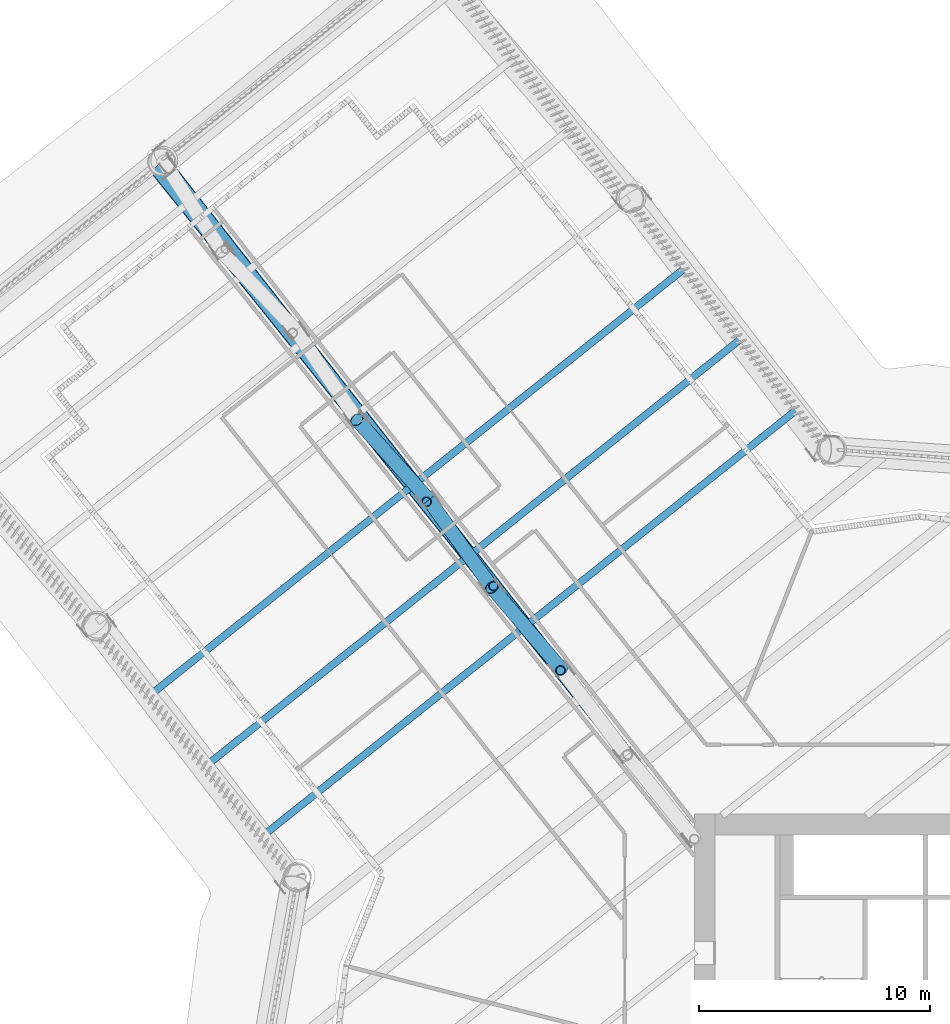
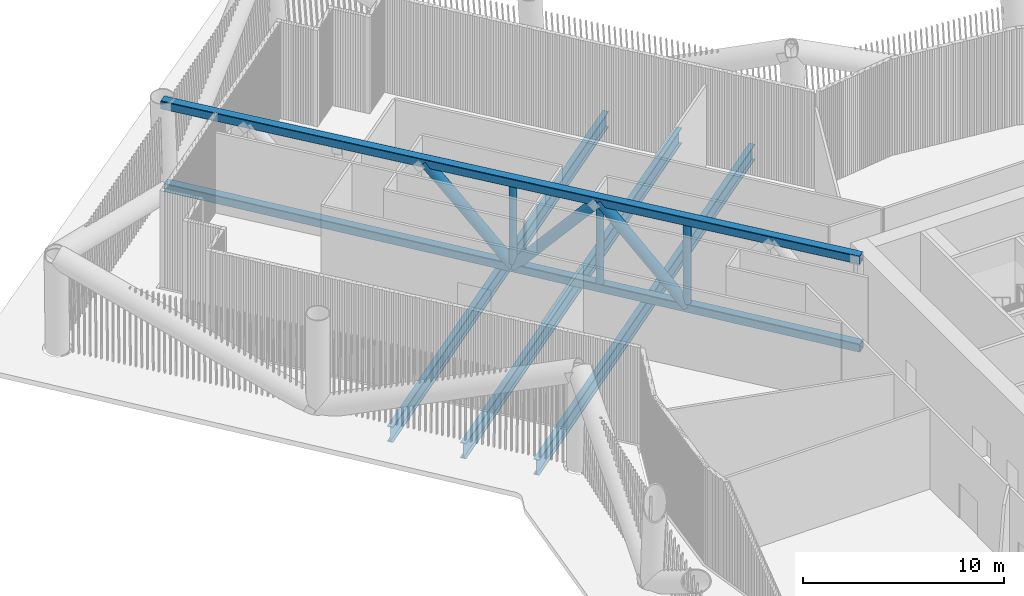
# One storey, part 10 of 48: 8 members, 3 beams.
"""IFC4 building model written with IfcOpenShell, lengths in metres."""

from ifc_helpers import new_model, si_unit, direction, frame, origin, origin_2d, place, context, subcontext, project, spatial, hollow_rectangle, hollow_circle, i_section, extrude, material, material_profile, profile_set, type_object, element, save


model = new_model("IFC4")

# Units and contexts
model_context = context("Model", 3, precision=1e-05, world=origin(), true_north=direction((0.0, 1.0)))
body_context = subcontext(model_context, "Body", "Model", "MODEL_VIEW")
ifc_project = project(units=[si_unit("LENGTHUNIT", "METRE"), si_unit("AREAUNIT", "SQUARE_METRE"), si_unit("VOLUMEUNIT", "CUBIC_METRE"), si_unit("PLANEANGLEUNIT", "RADIAN"), si_unit("MASSUNIT", "GRAM", prefix="KILO")], contexts=[model_context])

# Site, building, storey
site_placement = place(None, origin())
site = spatial("IfcSite", under=ifc_project, at=site_placement, CompositionType="ELEMENT")
building_placement = place(site_placement, origin())
building = spatial("IfcBuilding", under=site, at=building_placement, Name="Tarsis Ring Headquarters", CompositionType="ELEMENT")
storey_placement = place(building_placement, frame((0.0, 0.0, 34.0)))
storey = spatial("IfcBuildingStorey", under=building, at=storey_placement, Name="L06", CompositionType="ELEMENT", Elevation=34.0)

# Beams
ifc_material = material(Name="Structural steel S355", Category="steel")
ifc_material_profile_1 = material_profile(ifc_material, i_section(OverallWidth=0.309814453125, OverallDepth=0.949951171875, WebThickness=0.0244140625, FlangeThickness=0.0439453125, at=origin_2d()), Name="W36x256")
ifc_profile_set_1 = profile_set([ifc_material_profile_1], Name="Structural steel S355")
beam_type = type_object("IfcBeamType", Name="FB Floor beam W36x256", PredefinedType="JOIST", material=ifc_profile_set_1)
for number, where, z_axis, x_axis, name in (
    (1, (-5.552978515625, 30.4990234375, -0.77490234375), (-0.781521097597, -0.623878813562, 0.0), (0.623878813562, -0.781521097597, 0.0), "Floor beam FB11"),
    (2, (-7.986083984375, 33.546875, -0.77490234375), (-0.781521097597, -0.623878813562, 0.0), (0.623878813562, -0.781521097597, 0.0), "Floor beam FB11"),
):
    element("IfcBeam", number, at=place(storey_placement, frame(where, z_axis=z_axis, x_axis=x_axis)), inside=storey, type_object=beam_type, Name=name, PredefinedType="JOIST", context=body_context, shape_type="SweptSolid", body=[
        extrude(i_section(OverallWidth=0.309814453125, OverallDepth=0.949951171875, WebThickness=0.0244140625, FlangeThickness=0.0439453125, at=origin_2d()), origin(), (0.0, 0.0, 1.0), 29.375732421875),
    ])
beam_placement = place(storey_placement, frame((-10.419189453125, 36.594970703125, -0.77490234375), z_axis=(-0.78151704539, -0.623883889651, 0.0), x_axis=(0.623883889651, -0.78151704539, 0.0)))
element("IfcBeam", 3, at=beam_placement, inside=storey, type_object=beam_type, Name="Floor beam FB11", PredefinedType="JOIST", context=body_context, shape_type="SweptSolid", body=[
    extrude(i_section(OverallWidth=0.309814453125, OverallDepth=0.949951171875, WebThickness=0.0244140625, FlangeThickness=0.0439453125, at=origin_2d()), origin(), (0.0, 0.0, 1.0), 29.3759765625),
])

# Members
ifc_material_profile_2 = material_profile(ifc_material, hollow_rectangle(XDim=0.508056640625, YDim=0.508056640625, WallThickness=0.025390625, InnerFilletRadius=0.025390625, OuterFilletRadius=0.05078125, at=origin_2d()), Name="HSS 508x508x25")
ifc_profile_set_2 = profile_set([ifc_material_profile_2], Name="Structural steel S355")
member_type_1 = type_object("IfcMemberType", Name="OC Outrigger chord HSS 508x508x25", PredefinedType="CHORD", material=ifc_profile_set_2)
member_1_placement = place(storey_placement, frame((-10.0, 11.915283203125, 0.25390625), z_axis=(-0.616337596693, 0.787482042274, 0.0), x_axis=(-0.787482042274, -0.616337596693, 0.0)))
element("IfcMember", 4, at=member_1_placement, inside=storey, type_object=member_type_1, Name="Outrigger chord OC1", PredefinedType="CHORD", context=body_context, shape_type="SweptSolid", body=[
    extrude(hollow_rectangle(XDim=0.508056640625, YDim=0.508056640625, WallThickness=0.025390625, InnerFilletRadius=0.025390625, OuterFilletRadius=0.05078125, at=origin_2d()), origin(), (0.0, 0.0, 1.0), 37.250732421875),
])
member_2_placement = place(storey_placement, frame((-10.0, 11.915283203125, 5.5859375), z_axis=(-0.626674632002, 0.779281018378, 0.0), x_axis=(-0.779281018378, -0.626674632002, 0.0)))
element("IfcMember", 5, at=member_2_placement, inside=storey, type_object=member_type_1, Name="Outrigger chord OC1", PredefinedType="CHORD", context=body_context, shape_type="SweptSolid", body=[
    extrude(hollow_rectangle(XDim=0.508056640625, YDim=0.508056640625, WallThickness=0.025390625, InnerFilletRadius=0.025390625, OuterFilletRadius=0.05078125, at=origin_2d()), origin(), (0.0, 0.0, 1.0), 37.24658203125),
])
ifc_material_profile_3 = material_profile(ifc_material, hollow_circle(Radius=0.3046875, WallThickness=0.02490234375, at=origin_2d()), Name="CHS 610x25")
ifc_profile_set_3 = profile_set([ifc_material_profile_3], Name="Structural steel S355")
member_type_2 = type_object("IfcMemberType", Name="OD Outrigger diagonal CHS 610x25", PredefinedType="BRACE", material=ifc_profile_set_3)
member_3_placement = place(storey_placement, frame((-15.73974609375, 19.2490234375, 0.25390625), z_axis=(-0.425619714001, 0.501591212133, 0.753162741354), x_axis=(-0.762488759258, -0.647001462135, 0.0)))
element("IfcMember", 6, at=member_3_placement, inside=storey, type_object=member_type_2, Name="Outrigger diagonal OD1", PredefinedType="BRACE", context=body_context, shape_type="SweptSolid", body=[
    extrude(hollow_circle(Radius=0.3046875, WallThickness=0.02490234375, at=origin_2d()), origin(), (0.0, 0.0, 1.0), 7.07958984375),
])
member_4_placement = place(storey_placement, frame((-18.7529296875, 22.800048828125, 5.5859375), z_axis=(-0.384933475882, 0.534005582185, -0.752771052406), x_axis=(-0.811210457827, -0.584754301491, 0.0)))
element("IfcMember", 7, at=member_4_placement, inside=storey, type_object=member_type_2, Name="Outrigger diagonal OD1", PredefinedType="BRACE", context=body_context, shape_type="SweptSolid", body=[
    extrude(hollow_circle(Radius=0.3046875, WallThickness=0.02490234375, at=origin_2d()), origin(), (0.0, 0.0, 1.0), 7.083251953125),
])
member_5_placement = place(storey_placement, frame((-21.4794921875, 26.58251953125, 0.25390625), z_axis=(-0.438945644888, 0.490478842556, 0.752832800719), x_axis=(-0.745168716623, -0.666875988297, 0.0)))
element("IfcMember", 8, at=member_5_placement, inside=storey, type_object=member_type_2, Name="Outrigger diagonal OD1", PredefinedType="BRACE", context=body_context, shape_type="SweptSolid", body=[
    extrude(hollow_circle(Radius=0.3046875, WallThickness=0.02490234375, at=origin_2d()), origin(), (0.0, 0.0, 1.0), 7.08251953125),
])
ifc_material_profile_4 = material_profile(ifc_material, hollow_circle(Radius=0.203125, WallThickness=0.01611328125, at=origin_2d()), Name="CHS 406x16")
ifc_profile_set_4 = profile_set([ifc_material_profile_4], Name="Structural steel S355")
member_type_3 = type_object("IfcMemberType", Name="OV Outrigger post CHS 406x16", PredefinedType="STRUT", material=ifc_profile_set_4)
for number, where, z_axis, x_axis, name in (
    (9, (-15.78759765625, 19.21044921875, 0.508056640625), (0.0, 0.0, 1.0), (1.0, 0.0, 0.0), "Outrigger post OV1"),
    (10, (-18.681396484375, 22.85791015625, 0.508056640625), (0.0, 0.0, 1.0), (1.0, 0.0, 0.0), "Outrigger post OV1"),
    (11, (-21.5751953125, 26.50537109375, 0.508056640625), (0.0, 0.0, 1.0), (1.0, 0.0, 0.0), "Outrigger post OV1"),
):
    element("IfcMember", number, at=place(storey_placement, frame(where, z_axis=z_axis, x_axis=x_axis)), inside=storey, type_object=member_type_3, Name=name, PredefinedType="STRUT", context=body_context, shape_type="SweptSolid", body=[
        extrude(hollow_circle(Radius=0.203125, WallThickness=0.01611328125, at=origin_2d()), origin(), (0.0, 0.0, 1.0), 4.823974609375),
    ])

save(model, "model.ifc")
